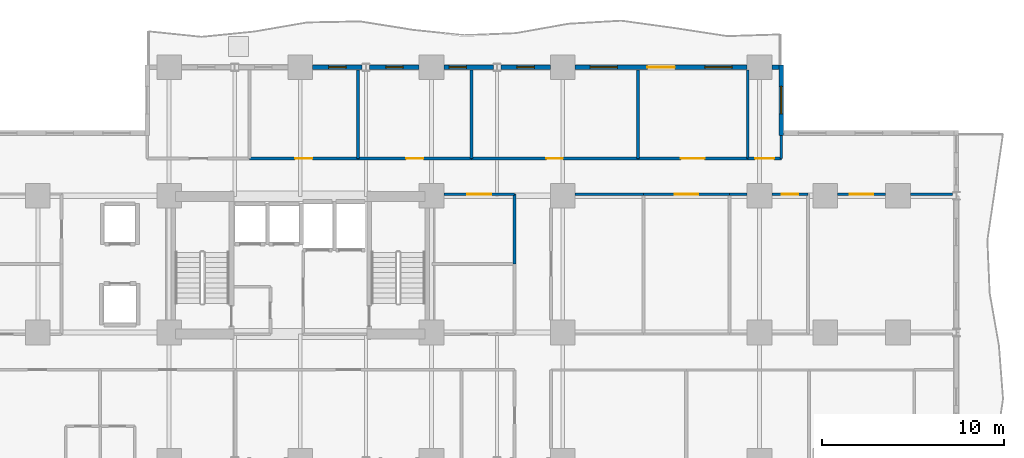
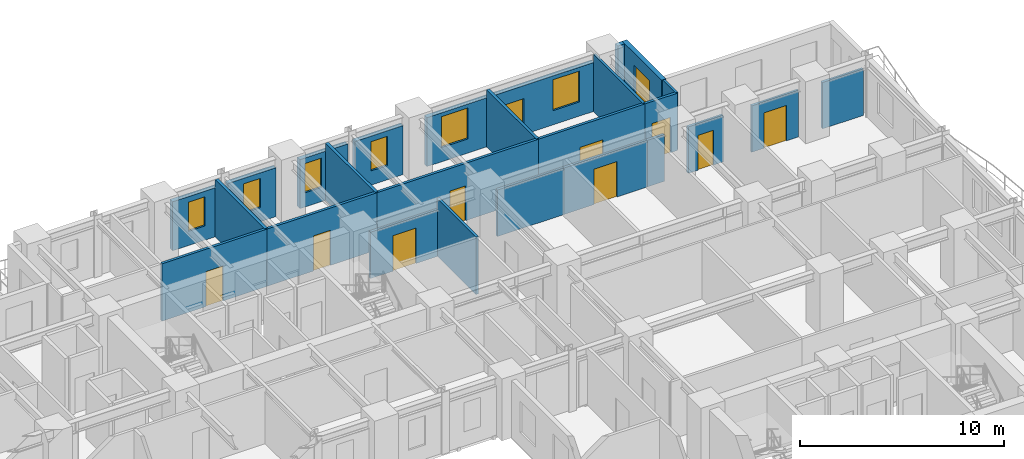
# One storey, part 7 of 11: 25 walls, 10 doors, 7 windows, 17 openings.
"""IFC4 building model written with IfcOpenShell, lengths in metres."""

from ifc_helpers import new_model, si_unit, direction, frame, frame_2d, origin, place, context, subcontext, project, spatial, rectangle, extrude, material, layer, layer_set, type_object, element, fill, save


model = new_model("IFC4")

# Units and contexts
model_context = context("Model", 3, precision=1e-05, world=origin(), true_north=direction((0.0, 1.0)))
body_context = subcontext(model_context, "Body", "Model", "MODEL_VIEW")
ifc_project = project(units=[si_unit("LENGTHUNIT", "METRE"), si_unit("AREAUNIT", "SQUARE_METRE"), si_unit("VOLUMEUNIT", "CUBIC_METRE"), si_unit("PLANEANGLEUNIT", "RADIAN"), si_unit("MASSUNIT", "GRAM", prefix="KILO")], contexts=[model_context])

# Site, building, storey
site_placement = place(None, origin())
site = spatial("IfcSite", under=ifc_project, at=site_placement, CompositionType="ELEMENT")
building_placement = place(site_placement, origin())
building = spatial("IfcBuilding", under=site, at=building_placement, Name="Kaliganga Portal Commons", CompositionType="ELEMENT")
storey_placement = place(building_placement, frame((0.0, 0.0, 58.60009765625)))
storey = spatial("IfcBuildingStorey", under=building, at=storey_placement, Name="L14", CompositionType="ELEMENT", Elevation=58.60009765625)

# Wall, opening, window
ifc_material_1 = material(Name="Insulated Aluminium-Clad Spandrel Assembly", Category="aluminium")
ifc_layer_1 = layer(ifc_material_1, 0.260009765625)
ifc_layer_set_1 = layer_set([ifc_layer_1], Name="Insulated Aluminium-Clad Spandrel Assembly")
wall_type_1 = type_object("IfcWallType", Name="WL-EXT-SPAND-260", PredefinedType="STANDARD", material=ifc_layer_set_1)
wall_1_placement = place(storey_placement, frame((48.0, 43.330078125, 0.0), z_axis=(0.0, 0.0, 1.0), x_axis=(0.0, -1.0, 0.0)))
wall_1 = element("IfcWall", 1, at=wall_1_placement, inside=storey, type_object=wall_type_1, Name="Exterior Envelope Wall L14 P1-E05-S1", PredefinedType="STANDARD", context=body_context, shape_type="SweptSolid", body=[
    extrude(rectangle(XDim=3.860107421875, YDim=0.260009765625, at=frame_2d((1.93017578125, 0.0))), origin(), (0.0, 0.0, 1.0), 3.429931640625),
])
opening_1_placement = place(wall_1_placement, frame((1.179931640625, 0.0, 0.85009765625)))
opening_1 = element("IfcOpeningElement", 2, at=opening_1_placement, cuts=wall_1, Name="Opening W-02", PredefinedType="OPENING", context=body_context, shape_type="SweptSolid", body=[
    extrude(rectangle(XDim=1.5, YDim=1.85009765625, at=frame_2d((0.75, 0.925048828125))), frame((0.0, 0.14013671875, 0.0), z_axis=(0.0, -1.0, 0.0), x_axis=(1.0, 0.0, 0.0)), (0.0, 0.0, 1.0), 0.280029296875),
])
ifc_material_2 = material(Name="Thermally Broken Aluminium and Low-E Double Glazing", Category="aluminium")
window_type_1 = type_object("IfcWindowType", Name="WIN-STD-1500", PartitioningType="DOUBLE_PANEL_VERTICAL", PredefinedType="WINDOW", material=ifc_material_2)
window_1_placement = place(opening_1_placement, origin())
window_1 = element("IfcWindow", 3, at=window_1_placement, inside=storey, type_object=window_type_1, Name="Facade Window L14-P1E05S1-00", OverallHeight=1.85009765625, OverallWidth=1.5, PartitioningType="SINGLE_PANEL", PredefinedType="WINDOW", context=body_context, shape_type="SweptSolid", body=[
    extrude(rectangle(XDim=1.5, YDim=1.85009765625, at=frame_2d((0.75, 0.925048828125))), frame((0.0, 0.030029296875, 0.0), z_axis=(0.0, -1.0, 0.0), x_axis=(1.0, 0.0, 0.0)), (0.0, 0.0, 1.0), 0.06005859375),
])
fill(opening_1, window_1)

# Wall
wall_2_placement = place(storey_placement, frame((47.47607421875, 43.199951171875, 0.0), z_axis=(0.0, 0.0, 1.0), x_axis=(1.0, 0.0, 0.0)))
element("IfcWall", 4, at=wall_2_placement, inside=storey, type_object=wall_type_1, Name="Exterior Envelope Wall L14 P1-E06-S1", PredefinedType="STANDARD", context=body_context, shape_type="SweptSolid", body=[
    extrude(rectangle(XDim=0.388916015625, YDim=0.260009765625, at=frame_2d((0.1943359375, 0.0))), origin(), (0.0, 0.0, 1.0), 3.429931640625),
])

# Wall, openings, door, windows
wall_3_placement = place(storey_placement, frame((36.676025390625, 43.199951171875, 0.0), z_axis=(0.0, 0.0, 1.0), x_axis=(1.0, 0.0, 0.0)))
wall_3 = element("IfcWall", 5, at=wall_3_placement, inside=storey, type_object=wall_type_1, Name="Exterior Envelope Wall L14 P1-E06-S2", PredefinedType="STANDARD", context=body_context, shape_type="SweptSolid", body=[
    extrude(rectangle(XDim=9.447998046875, YDim=0.260009765625, at=frame_2d((4.72412109375, 0.0))), origin(), (0.0, 0.0, 1.0), 2.929931640625),
])
opening_2_placement = place(wall_3_placement, frame((3.97412109375, 0.0, 0.0)))
opening_2 = element("IfcOpeningElement", 6, at=opening_2_placement, cuts=wall_3, Name="Opening BD-01", PredefinedType="OPENING", context=body_context, shape_type="SweptSolid", body=[
    extrude(rectangle(XDim=1.5, YDim=2.14990234375, at=frame_2d((0.75, 1.074951171875))), frame((0.0, 0.14013671875, 0.0), z_axis=(0.0, -1.0, 0.0), x_axis=(1.0, 0.0, 0.0)), (0.0, 0.0, 1.0), 0.280029296875),
])
opening_3_placement = place(wall_3_placement, frame((0.82470703125, 0.0, 0.85009765625)))
opening_3 = element("IfcOpeningElement", 7, at=opening_3_placement, cuts=wall_3, Name="Opening W-02", PredefinedType="OPENING", context=body_context, shape_type="SweptSolid", body=[
    extrude(rectangle(XDim=1.5, YDim=1.85009765625, at=frame_2d((0.75, 0.925048828125))), frame((0.0, 0.14013671875, 0.0), z_axis=(0.0, -1.0, 0.0), x_axis=(1.0, 0.0, 0.0)), (0.0, 0.0, 1.0), 0.280029296875),
])
opening_4_placement = place(wall_3_placement, frame((7.123291015625, 0.0, 0.85009765625)))
opening_4 = element("IfcOpeningElement", 8, at=opening_4_placement, cuts=wall_3, Name="Opening W-02", PredefinedType="OPENING", context=body_context, shape_type="SweptSolid", body=[
    extrude(rectangle(XDim=1.5, YDim=1.85009765625, at=frame_2d((0.75, 0.925048828125))), frame((0.0, 0.14013671875, 0.0), z_axis=(0.0, -1.0, 0.0), x_axis=(1.0, 0.0, 0.0)), (0.0, 0.0, 1.0), 0.280029296875),
])
ifc_material_3 = material(Name="Anodized Aluminium and Laminated Safety Glass", Category="aluminium")
door_type_1 = type_object("IfcDoorType", Name="DR-BALC-1500", OperationType="SLIDING_TO_LEFT", PredefinedType="DOOR", material=ifc_material_3)
door_1_placement = place(opening_2_placement, origin())
door_1 = element("IfcDoor", 9, at=door_1_placement, inside=storey, type_object=door_type_1, Name="Balcony Sliding Door L14 balc_north", OperationType="SLIDING_TO_LEFT", OverallHeight=2.14990234375, OverallWidth=1.5, PredefinedType="DOOR", context=body_context, shape_type="SweptSolid", body=[
    extrude(rectangle(XDim=1.5, YDim=2.14990234375, at=frame_2d((0.75, 1.074951171875))), frame((0.0, 0.02490234375, 0.0), z_axis=(0.0, -1.0, 0.0), x_axis=(1.0, 0.0, 0.0)), (0.0, 0.0, 1.0), 0.050048828125),
])
fill(opening_2, door_1)
window_2_placement = place(opening_3_placement, origin())
window_2 = element("IfcWindow", 10, at=window_2_placement, inside=storey, type_object=window_type_1, Name="Facade Window L14-P1E06S2-00", OverallHeight=1.85009765625, OverallWidth=1.5, PartitioningType="SINGLE_PANEL", PredefinedType="WINDOW", context=body_context, shape_type="SweptSolid", body=[
    extrude(rectangle(XDim=1.5, YDim=1.85009765625, at=frame_2d((0.75, 0.925048828125))), frame((0.0, 0.030029296875, 0.0), z_axis=(0.0, -1.0, 0.0), x_axis=(1.0, 0.0, 0.0)), (0.0, 0.0, 1.0), 0.06005859375),
])
fill(opening_3, window_2)
window_3_placement = place(opening_4_placement, origin())
window_3 = element("IfcWindow", 11, at=window_3_placement, inside=storey, type_object=window_type_1, Name="Facade Window L14-P1E06S2-02", OverallHeight=1.85009765625, OverallWidth=1.5, PartitioningType="SINGLE_PANEL", PredefinedType="WINDOW", context=body_context, shape_type="SweptSolid", body=[
    extrude(rectangle(XDim=1.5, YDim=1.85009765625, at=frame_2d((0.75, 0.925048828125))), frame((0.0, 0.030029296875, 0.0), z_axis=(0.0, -1.0, 0.0), x_axis=(1.0, 0.0, 0.0)), (0.0, 0.0, 1.0), 0.06005859375),
])
fill(opening_4, window_3)

# Wall, opening, window
wall_4_placement = place(storey_placement, frame((32.60888671875, 43.199951171875, 0.0), z_axis=(0.0, 0.0, 1.0), x_axis=(1.0, 0.0, 0.0)))
wall_4 = element("IfcWall", 12, at=wall_4_placement, inside=storey, type_object=wall_type_1, Name="Exterior Envelope Wall L14 P1-E06-S3", PredefinedType="STANDARD", context=body_context, shape_type="SweptSolid", body=[
    extrude(rectangle(XDim=2.715087890625, YDim=0.260009765625, at=frame_2d((1.357421875, 0.0))), origin(), (0.0, 0.0, 1.0), 2.929931640625),
])
opening_5_placement = place(wall_4_placement, frame((0.882568359375, 0.0, 0.85009765625)))
opening_5 = element("IfcOpeningElement", 13, at=opening_5_placement, cuts=wall_4, Name="Opening W-04", PredefinedType="OPENING", context=body_context, shape_type="SweptSolid", body=[
    extrude(rectangle(XDim=0.949951171875, YDim=1.75, at=frame_2d((0.47509765625, 0.875))), frame((0.0, 0.14013671875, 0.0), z_axis=(0.0, -1.0, 0.0), x_axis=(1.0, 0.0, 0.0)), (0.0, 0.0, 1.0), 0.280029296875),
])
window_type_2 = type_object("IfcWindowType", Name="WIN-NARROW-950", PartitioningType="SINGLE_PANEL", PredefinedType="WINDOW", material=ifc_material_2)
window_4_placement = place(opening_5_placement, origin())
window_4 = element("IfcWindow", 14, at=window_4_placement, inside=storey, type_object=window_type_2, Name="Facade Window L14-P1E06S3-00", OverallHeight=1.75, OverallWidth=0.949951171875, PartitioningType="SINGLE_PANEL", PredefinedType="WINDOW", context=body_context, shape_type="SweptSolid", body=[
    extrude(rectangle(XDim=0.949951171875, YDim=1.75, at=frame_2d((0.47509765625, 0.875))), frame((0.0, 0.030029296875, 0.0), z_axis=(0.0, -1.0, 0.0), x_axis=(1.0, 0.0, 0.0)), (0.0, 0.0, 1.0), 0.06005859375),
])
fill(opening_5, window_4)

wall_5_placement = place(storey_placement, frame((29.47607421875, 43.199951171875, 0.0), z_axis=(0.0, 0.0, 1.0), x_axis=(1.0, 0.0, 0.0)))
wall_5 = element("IfcWall", 15, at=wall_5_placement, inside=storey, type_object=wall_type_1, Name="Exterior Envelope Wall L14 P1-E06-S4", PredefinedType="STANDARD", context=body_context, shape_type="SweptSolid", body=[
    extrude(rectangle(XDim=2.71484375, YDim=0.260009765625, at=frame_2d((1.357421875, 0.0))), origin(), (0.0, 0.0, 1.0), 2.929931640625),
])
opening_6_placement = place(wall_5_placement, frame((0.28515625, 0.0, 0.85009765625)))
opening_6 = element("IfcOpeningElement", 16, at=opening_6_placement, cuts=wall_5, Name="Opening W-04", PredefinedType="OPENING", context=body_context, shape_type="SweptSolid", body=[
    extrude(rectangle(XDim=0.949951171875, YDim=1.75, at=frame_2d((0.47509765625, 0.875))), frame((0.0, 0.14013671875, 0.0), z_axis=(0.0, -1.0, 0.0), x_axis=(1.0, 0.0, 0.0)), (0.0, 0.0, 1.0), 0.280029296875),
])
window_5_placement = place(opening_6_placement, origin())
window_5 = element("IfcWindow", 17, at=window_5_placement, inside=storey, type_object=window_type_2, Name="Facade Window L14-P1E06S4-N3", OverallHeight=1.75, OverallWidth=0.949951171875, PartitioningType="SINGLE_PANEL", PredefinedType="WINDOW", context=body_context, shape_type="SweptSolid", body=[
    extrude(rectangle(XDim=0.949951171875, YDim=1.75, at=frame_2d((0.47509765625, 0.875))), frame((0.0, 0.030029296875, 0.0), z_axis=(0.0, -1.0, 0.0), x_axis=(1.0, 0.0, 0.0)), (0.0, 0.0, 1.0), 0.06005859375),
])
fill(opening_6, window_5)

wall_6_placement = place(storey_placement, frame((25.408935546875, 43.199951171875, 0.0), z_axis=(0.0, 0.0, 1.0), x_axis=(1.0, 0.0, 0.0)))
wall_6 = element("IfcWall", 18, at=wall_6_placement, inside=storey, type_object=wall_type_1, Name="Exterior Envelope Wall L14 P1-E06-S5", PredefinedType="STANDARD", context=body_context, shape_type="SweptSolid", body=[
    extrude(rectangle(XDim=2.715087890625, YDim=0.260009765625, at=frame_2d((1.357421875, 0.0))), origin(), (0.0, 0.0, 1.0), 2.929931640625),
])
opening_7_placement = place(wall_6_placement, frame((0.882568359375, 0.0, 0.85009765625)))
opening_7 = element("IfcOpeningElement", 19, at=opening_7_placement, cuts=wall_6, Name="Opening W-04", PredefinedType="OPENING", context=body_context, shape_type="SweptSolid", body=[
    extrude(rectangle(XDim=0.949951171875, YDim=1.75, at=frame_2d((0.47509765625, 0.875))), frame((0.0, 0.14013671875, 0.0), z_axis=(0.0, -1.0, 0.0), x_axis=(1.0, 0.0, 0.0)), (0.0, 0.0, 1.0), 0.280029296875),
])
window_6_placement = place(opening_7_placement, origin())
window_6 = element("IfcWindow", 20, at=window_6_placement, inside=storey, type_object=window_type_2, Name="Facade Window L14-P1E06S5-00", OverallHeight=1.75, OverallWidth=0.949951171875, PartitioningType="SINGLE_PANEL", PredefinedType="WINDOW", context=body_context, shape_type="SweptSolid", body=[
    extrude(rectangle(XDim=0.949951171875, YDim=1.75, at=frame_2d((0.47509765625, 0.875))), frame((0.0, 0.030029296875, 0.0), z_axis=(0.0, -1.0, 0.0), x_axis=(1.0, 0.0, 0.0)), (0.0, 0.0, 1.0), 0.06005859375),
])
fill(opening_7, window_6)

wall_7_placement = place(storey_placement, frame((22.27587890625, 43.199951171875, 0.0), z_axis=(0.0, 0.0, 1.0), x_axis=(1.0, 0.0, 0.0)))
wall_7 = element("IfcWall", 21, at=wall_7_placement, inside=storey, type_object=wall_type_1, Name="Exterior Envelope Wall L14 P1-E06-S6", PredefinedType="STANDARD", context=body_context, shape_type="SweptSolid", body=[
    extrude(rectangle(XDim=2.715087890625, YDim=0.260009765625, at=frame_2d((1.357421875, 0.0))), origin(), (0.0, 0.0, 1.0), 2.929931640625),
])
opening_8_placement = place(wall_7_placement, frame((0.882568359375, 0.0, 0.85009765625)))
opening_8 = element("IfcOpeningElement", 22, at=opening_8_placement, cuts=wall_7, Name="Opening W-04", PredefinedType="OPENING", context=body_context, shape_type="SweptSolid", body=[
    extrude(rectangle(XDim=0.949951171875, YDim=1.75, at=frame_2d((0.47509765625, 0.875))), frame((0.0, 0.14013671875, 0.0), z_axis=(0.0, -1.0, 0.0), x_axis=(1.0, 0.0, 0.0)), (0.0, 0.0, 1.0), 0.280029296875),
])
window_7_placement = place(opening_8_placement, origin())
window_7 = element("IfcWindow", 23, at=window_7_placement, inside=storey, type_object=window_type_2, Name="Facade Window L14-P1E06S6-00", OverallHeight=1.75, OverallWidth=0.949951171875, PartitioningType="SINGLE_PANEL", PredefinedType="WINDOW", context=body_context, shape_type="SweptSolid", body=[
    extrude(rectangle(XDim=0.949951171875, YDim=1.75, at=frame_2d((0.47509765625, 0.875))), frame((0.0, 0.030029296875, 0.0), z_axis=(0.0, -1.0, 0.0), x_axis=(1.0, 0.0, 0.0)), (0.0, 0.0, 1.0), 0.06005859375),
])
fill(opening_8, window_7)

# Wall, opening, door
ifc_material_4 = material(Name="Fire-Rated Gypsum Board on Steel Stud", Category="steel")
ifc_layer_2 = layer(ifc_material_4, 0.14990234375)
ifc_layer_set_2 = layer_set([ifc_layer_2], Name="Fire-Rated Gypsum Board on Steel Stud")
wall_type_2 = type_object("IfcWallType", Name="WL-PART-CORR-150", PredefinedType="PARTITIONING", material=ifc_layer_set_2)
wall_8_placement = place(storey_placement, frame((31.0, 38.199951171875, 0.0), z_axis=(0.0, 0.0, 1.0), x_axis=(1.0, 0.0, 0.0)))
wall_8 = element("IfcWall", 24, at=wall_8_placement, inside=storey, type_object=wall_type_2, Name="Interior Partition L14-009", PredefinedType="PARTITIONING", context=body_context, shape_type="SweptSolid", body=[
    extrude(rectangle(XDim=9.1201171875, YDim=0.14990234375, at=frame_2d((4.56005859375, 0.0))), origin(), (0.0, 0.0, 1.0), 3.429931640625),
])
opening_9_placement = place(wall_8_placement, frame((4.110107421875, 0.0, 0.0)))
opening_9 = element("IfcOpeningElement", 25, at=opening_9_placement, cuts=wall_8, Name="Opening RD-01", PredefinedType="OPENING", context=body_context, shape_type="SweptSolid", body=[
    extrude(rectangle(XDim=0.89990234375, YDim=2.080078125, at=frame_2d((0.449951171875, 1.0400390625))), frame((0.0, 0.0849609375, 0.0), z_axis=(0.0, -1.0, 0.0), x_axis=(1.0, 0.0, 0.0)), (0.0, 0.0, 1.0), 0.169921875),
])
ifc_material_5 = material(Name="Engineered Timber Flush Door", Category="wood")
door_type_2 = type_object("IfcDoorType", Name="DR-ROOM-900", OperationType="NOTDEFINED", PredefinedType="DOOR", material=ifc_material_5)
door_2_placement = place(opening_9_placement, origin())
door_2 = element("IfcDoor", 26, at=door_2_placement, inside=storey, type_object=door_type_2, Name="Interior Door L14-AN04", OperationType="SINGLE_SWING_RIGHT", OverallHeight=2.080078125, OverallWidth=0.89990234375, PredefinedType="DOOR", context=body_context, shape_type="SweptSolid", body=[
    extrude(rectangle(XDim=0.89990234375, YDim=2.080078125, at=frame_2d((0.449951171875, 1.0400390625))), frame((0.0, 0.02490234375, 0.0), z_axis=(0.0, -1.0, 0.0), x_axis=(1.0, 0.0, 0.0)), (0.0, 0.0, 1.0), 0.050048828125),
])
fill(opening_9, door_2)

wall_9_placement = place(storey_placement, frame((51.074951171875, 36.239990234375, 0.0), z_axis=(0.0, 0.0, 1.0), x_axis=(1.0, 0.0, 0.0)))
wall_9 = element("IfcWall", 27, at=wall_9_placement, inside=storey, type_object=wall_type_2, Name="Interior Partition L14-010", PredefinedType="PARTITIONING", context=body_context, shape_type="SweptSolid", body=[
    extrude(rectangle(XDim=2.650146484375, YDim=0.14990234375, at=frame_2d((1.3251953125, 0.0))), origin(), (0.0, 0.0, 1.0), 2.77978515625),
])
opening_10_placement = place(wall_9_placement, frame((0.675048828125, 0.0, 0.0)))
opening_10 = element("IfcOpeningElement", 28, at=opening_10_placement, cuts=wall_9, Name="Opening RD-03", PredefinedType="OPENING", context=body_context, shape_type="SweptSolid", body=[
    extrude(rectangle(XDim=1.300048828125, YDim=2.1201171875, at=frame_2d((0.64990234375, 1.06005859375))), frame((0.0, 0.0849609375, 0.0), z_axis=(0.0, -1.0, 0.0), x_axis=(1.0, 0.0, 0.0)), (0.0, 0.0, 1.0), 0.169921875),
])
ifc_material_6 = material(Name="Glazed Timber Seminar Vision Door", Category="wood")
door_type_3 = type_object("IfcDoorType", Name="DR-STUDY-1300", OperationType="DOUBLE_DOOR_SINGLE_SWING", PredefinedType="DOOR", material=ifc_material_6)
door_3_placement = place(opening_10_placement, origin())
door_3 = element("IfcDoor", 29, at=door_3_placement, inside=storey, type_object=door_type_3, Name="Interior Door L14-BK04", OperationType="DOUBLE_DOOR_SINGLE_SWING", OverallHeight=2.1201171875, OverallWidth=1.300048828125, PredefinedType="DOOR", context=body_context, shape_type="SweptSolid", body=[
    extrude(rectangle(XDim=1.300048828125, YDim=2.1201171875, at=frame_2d((0.64990234375, 1.06005859375))), frame((0.0, 0.02490234375, 0.0), z_axis=(0.0, -1.0, 0.0), x_axis=(1.0, 0.0, 0.0)), (0.0, 0.0, 1.0), 0.050048828125),
])
fill(opening_10, door_3)

# Wall
wall_10_placement = place(storey_placement, frame((55.074951171875, 36.239990234375, 0.0), z_axis=(0.0, 0.0, 1.0), x_axis=(1.0, 0.0, 0.0)))
element("IfcWall", 30, at=wall_10_placement, inside=storey, type_object=wall_type_2, Name="Interior Partition L14-011", PredefinedType="PARTITIONING", context=body_context, shape_type="SweptSolid", body=[
    extrude(rectangle(XDim=2.317138671875, YDim=0.14990234375, at=frame_2d((1.15869140625, 0.0))), origin(), (0.0, 0.0, 1.0), 2.77978515625),
])

# Wall, opening, door
wall_11_placement = place(storey_placement, frame((24.760009765625, 38.199951171875, 0.0), z_axis=(0.0, 0.0, 1.0), x_axis=(1.0, 0.0, 0.0)))
wall_11 = element("IfcWall", 31, at=wall_11_placement, inside=storey, type_object=wall_type_2, Name="Interior Partition L14-023", PredefinedType="PARTITIONING", context=body_context, shape_type="SweptSolid", body=[
    extrude(rectangle(XDim=6.239990234375, YDim=0.14990234375, at=frame_2d((3.1201171875, 0.0))), origin(), (0.0, 0.0, 1.0), 3.429931640625),
])
opening_11_placement = place(wall_11_placement, frame((2.64501953125, 0.0, 0.0)))
opening_11 = element("IfcOpeningElement", 32, at=opening_11_placement, cuts=wall_11, Name="Opening UD-01", PredefinedType="OPENING", context=body_context, shape_type="SweptSolid", body=[
    extrude(rectangle(XDim=0.949951171875, YDim=2.10009765625, at=frame_2d((0.47509765625, 1.050048828125))), frame((0.0, 0.0849609375, 0.0), z_axis=(0.0, -1.0, 0.0), x_axis=(1.0, 0.0, 0.0)), (0.0, 0.0, 1.0), 0.169921875),
])
ifc_material_7 = material(Name="Solid-Core Timber Acoustic Fire Door", Category="wood")
door_type_4 = type_object("IfcDoorType", Name="DR-UNIT-950", OperationType="NOTDEFINED", PredefinedType="DOOR", material=ifc_material_7)
door_4_placement = place(opening_11_placement, origin())
door_4 = element("IfcDoor", 33, at=door_4_placement, inside=storey, type_object=door_type_4, Name="Interior Door L14-AN03", OperationType="SINGLE_SWING_LEFT", OverallHeight=2.10009765625, OverallWidth=0.949951171875, PredefinedType="DOOR", context=body_context, shape_type="SweptSolid", body=[
    extrude(rectangle(XDim=0.949951171875, YDim=2.10009765625, at=frame_2d((0.47509765625, 1.050048828125))), frame((0.0, 0.02490234375, 0.0), z_axis=(0.0, -1.0, 0.0), x_axis=(1.0, 0.0, 0.0)), (0.0, 0.0, 1.0), 0.050048828125),
])
fill(opening_11, door_4)

wall_12_placement = place(storey_placement, frame((40.1201171875, 38.199951171875, 0.0), z_axis=(0.0, 0.0, 1.0), x_axis=(1.0, 0.0, 0.0)))
wall_12 = element("IfcWall", 34, at=wall_12_placement, inside=storey, type_object=wall_type_2, Name="Interior Partition L14-024", PredefinedType="PARTITIONING", context=body_context, shape_type="SweptSolid", body=[
    extrude(rectangle(XDim=6.039794921875, YDim=0.14990234375, at=frame_2d((3.02001953125, 0.0))), origin(), (0.0, 0.0, 1.0), 3.429931640625),
])
opening_12_placement = place(wall_12_placement, frame((2.3701171875, 0.0, 0.0)))
opening_12 = element("IfcOpeningElement", 35, at=opening_12_placement, cuts=wall_12, Name="Opening RD-03", PredefinedType="OPENING", context=body_context, shape_type="SweptSolid", body=[
    extrude(rectangle(XDim=1.300048828125, YDim=2.1201171875, at=frame_2d((0.64990234375, 1.06005859375))), frame((0.0, 0.0849609375, 0.0), z_axis=(0.0, -1.0, 0.0), x_axis=(1.0, 0.0, 0.0)), (0.0, 0.0, 1.0), 0.169921875),
])
door_5_placement = place(opening_12_placement, origin())
door_5 = element("IfcDoor", 36, at=door_5_placement, inside=storey, type_object=door_type_3, Name="Interior Door L14-AN05", OperationType="DOUBLE_DOOR_SINGLE_SWING", OverallHeight=2.1201171875, OverallWidth=1.300048828125, PredefinedType="DOOR", context=body_context, shape_type="SweptSolid", body=[
    extrude(rectangle(XDim=1.300048828125, YDim=2.1201171875, at=frame_2d((0.64990234375, 1.06005859375))), frame((0.0, 0.02490234375, 0.0), z_axis=(0.0, -1.0, 0.0), x_axis=(1.0, 0.0, 0.0)), (0.0, 0.0, 1.0), 0.050048828125),
])
fill(opening_12, door_5)

wall_13_placement = place(storey_placement, frame((18.820068359375, 38.199951171875, 0.0), z_axis=(0.0, 0.0, 1.0), x_axis=(1.0, 0.0, 0.0)))
wall_13 = element("IfcWall", 37, at=wall_13_placement, inside=storey, type_object=wall_type_2, Name="Interior Partition L14-025", PredefinedType="PARTITIONING", context=body_context, shape_type="SweptSolid", body=[
    extrude(rectangle(XDim=5.93994140625, YDim=0.14990234375, at=frame_2d((2.969970703125, 0.0))), origin(), (0.0, 0.0, 1.0), 3.429931640625),
])
opening_13_placement = place(wall_13_placement, frame((2.4951171875, 0.0, 0.0)))
opening_13 = element("IfcOpeningElement", 38, at=opening_13_placement, cuts=wall_13, Name="Opening UD-01", PredefinedType="OPENING", context=body_context, shape_type="SweptSolid", body=[
    extrude(rectangle(XDim=0.949951171875, YDim=2.10009765625, at=frame_2d((0.47509765625, 1.050048828125))), frame((0.0, 0.0849609375, 0.0), z_axis=(0.0, -1.0, 0.0), x_axis=(1.0, 0.0, 0.0)), (0.0, 0.0, 1.0), 0.169921875),
])
door_6_placement = place(opening_13_placement, origin())
door_6 = element("IfcDoor", 39, at=door_6_placement, inside=storey, type_object=door_type_4, Name="Interior Door L14-AN02", OperationType="SINGLE_SWING_LEFT", OverallHeight=2.10009765625, OverallWidth=0.949951171875, PredefinedType="DOOR", context=body_context, shape_type="SweptSolid", body=[
    extrude(rectangle(XDim=0.949951171875, YDim=2.10009765625, at=frame_2d((0.47509765625, 1.050048828125))), frame((0.0, 0.02490234375, 0.0), z_axis=(0.0, -1.0, 0.0), x_axis=(1.0, 0.0, 0.0)), (0.0, 0.0, 1.0), 0.050048828125),
])
fill(opening_13, door_6)

# Wall
wall_14_placement = place(storey_placement, frame((36.675048828125, 36.239990234375, 0.0), z_axis=(0.0, 0.0, 1.0), x_axis=(1.0, 0.0, 0.0)))
element("IfcWall", 40, at=wall_14_placement, inside=storey, type_object=wall_type_2, Name="Interior Partition L14-028", PredefinedType="PARTITIONING", context=body_context, shape_type="SweptSolid", body=[
    extrude(rectangle(XDim=3.764892578125, YDim=0.14990234375, at=frame_2d((1.88232421875, 0.0))), origin(), (0.0, 0.0, 1.0), 2.77978515625),
])

# Wall, opening, door
wall_15_placement = place(storey_placement, frame((40.43994140625, 36.239990234375, 0.0), z_axis=(0.0, 0.0, 1.0), x_axis=(1.0, 0.0, 0.0)))
wall_15 = element("IfcWall", 41, at=wall_15_placement, inside=storey, type_object=wall_type_2, Name="Interior Partition L14-032", PredefinedType="PARTITIONING", context=body_context, shape_type="SweptSolid", body=[
    extrude(rectangle(XDim=4.719970703125, YDim=0.14990234375, at=frame_2d((2.35986328125, 0.0))), origin(), (0.0, 0.0, 1.0), 2.77978515625),
])
opening_14_placement = place(wall_15_placement, frame((1.7099609375, 0.0, 0.0)))
opening_14 = element("IfcOpeningElement", 42, at=opening_14_placement, cuts=wall_15, Name="Opening RD-03", PredefinedType="OPENING", context=body_context, shape_type="SweptSolid", body=[
    extrude(rectangle(XDim=1.300048828125, YDim=2.1201171875, at=frame_2d((0.64990234375, 1.06005859375))), frame((0.0, 0.0849609375, 0.0), z_axis=(0.0, -1.0, 0.0), x_axis=(1.0, 0.0, 0.0)), (0.0, 0.0, 1.0), 0.169921875),
])
door_7_placement = place(opening_14_placement, origin())
door_7 = element("IfcDoor", 43, at=door_7_placement, inside=storey, type_object=door_type_3, Name="Interior Door L14-BK02", OperationType="DOUBLE_DOOR_SINGLE_SWING", OverallHeight=2.1201171875, OverallWidth=1.300048828125, PredefinedType="DOOR", context=body_context, shape_type="SweptSolid", body=[
    extrude(rectangle(XDim=1.300048828125, YDim=2.1201171875, at=frame_2d((0.64990234375, 1.06005859375))), frame((0.0, 0.02490234375, 0.0), z_axis=(0.0, -1.0, 0.0), x_axis=(1.0, 0.0, 0.0)), (0.0, 0.0, 1.0), 0.050048828125),
])
fill(opening_14, door_7)

wall_16_placement = place(storey_placement, frame((29.47509765625, 36.239990234375, 0.0), z_axis=(0.0, 0.0, 1.0), x_axis=(1.0, 0.0, 0.0)))
wall_16 = element("IfcWall", 44, at=wall_16_placement, inside=storey, type_object=wall_type_2, Name="Interior Partition L14-035", PredefinedType="PARTITIONING", context=body_context, shape_type="SweptSolid", body=[
    extrude(rectangle(XDim=3.885009765625, YDim=0.14990234375, at=frame_2d((1.9423828125, 0.0))), origin(), (0.0, 0.0, 1.0), 2.77978515625),
])
opening_15_placement = place(wall_16_placement, frame((1.29248046875, 0.0, 0.0)))
opening_15 = element("IfcOpeningElement", 45, at=opening_15_placement, cuts=wall_16, Name="Opening RD-03", PredefinedType="OPENING", context=body_context, shape_type="SweptSolid", body=[
    extrude(rectangle(XDim=1.300048828125, YDim=2.1201171875, at=frame_2d((0.64990234375, 1.06005859375))), frame((0.0, 0.0849609375, 0.0), z_axis=(0.0, -1.0, 0.0), x_axis=(1.0, 0.0, 0.0)), (0.0, 0.0, 1.0), 0.169921875),
])
door_8_placement = place(opening_15_placement, origin())
door_8 = element("IfcDoor", 46, at=door_8_placement, inside=storey, type_object=door_type_3, Name="Interior Door L14-CSRV_A2", OperationType="DOUBLE_DOOR_SINGLE_SWING", OverallHeight=2.1201171875, OverallWidth=1.300048828125, PredefinedType="DOOR", context=body_context, shape_type="SweptSolid", body=[
    extrude(rectangle(XDim=1.300048828125, YDim=2.1201171875, at=frame_2d((0.64990234375, 1.06005859375))), frame((0.0, 0.02490234375, 0.0), z_axis=(0.0, -1.0, 0.0), x_axis=(1.0, 0.0, 0.0)), (0.0, 0.0, 1.0), 0.050048828125),
])
fill(opening_15, door_8)

# Wall
wall_17_placement = place(storey_placement, frame((45.159912109375, 36.239990234375, 0.0), z_axis=(0.0, 0.0, 1.0), x_axis=(1.0, 0.0, 0.0)))
element("IfcWall", 47, at=wall_17_placement, inside=storey, type_object=wall_type_2, Name="Interior Partition L14-036", PredefinedType="PARTITIONING", context=body_context, shape_type="SweptSolid", body=[
    extrude(rectangle(XDim=0.965087890625, YDim=0.14990234375, at=frame_2d((0.482421875, 0.0))), origin(), (0.0, 0.0, 1.0), 2.77978515625),
])

# Wall, opening, door
wall_18_placement = place(storey_placement, frame((47.47509765625, 36.239990234375, 0.0), z_axis=(0.0, 0.0, 1.0), x_axis=(1.0, 0.0, 0.0)))
wall_18 = element("IfcWall", 48, at=wall_18_placement, inside=storey, type_object=wall_type_2, Name="Interior Partition L14-037", PredefinedType="PARTITIONING", context=body_context, shape_type="SweptSolid", body=[
    extrude(rectangle(XDim=1.98486328125, YDim=0.14990234375, at=frame_2d((0.992431640625, 0.0))), origin(), (0.0, 0.0, 1.0), 2.77978515625),
])
opening_16_placement = place(wall_18_placement, frame((0.54248046875, 0.0, 0.0)))
opening_16 = element("IfcOpeningElement", 49, at=opening_16_placement, cuts=wall_18, Name="Opening RD-01", PredefinedType="OPENING", context=body_context, shape_type="SweptSolid", body=[
    extrude(rectangle(XDim=0.89990234375, YDim=2.080078125, at=frame_2d((0.449951171875, 1.0400390625))), frame((0.0, 0.0849609375, 0.0), z_axis=(0.0, -1.0, 0.0), x_axis=(1.0, 0.0, 0.0)), (0.0, 0.0, 1.0), 0.169921875),
])
door_9_placement = place(opening_16_placement, origin())
door_9 = element("IfcDoor", 50, at=door_9_placement, inside=storey, type_object=door_type_2, Name="Interior Door L14-BK03", OperationType="SINGLE_SWING_RIGHT", OverallHeight=2.080078125, OverallWidth=0.89990234375, PredefinedType="DOOR", context=body_context, shape_type="SweptSolid", body=[
    extrude(rectangle(XDim=0.89990234375, YDim=2.080078125, at=frame_2d((0.449951171875, 1.0400390625))), frame((0.0, 0.02490234375, 0.0), z_axis=(0.0, -1.0, 0.0), x_axis=(1.0, 0.0, 0.0)), (0.0, 0.0, 1.0), 0.050048828125),
])
fill(opening_16, door_9)

# Wall
wall_19_placement = place(storey_placement, frame((33.360107421875, 32.39990234375, 0.0), z_axis=(0.0, 0.0, 1.0), x_axis=(0.0, 1.0, 0.0)))
element("IfcWall", 51, at=wall_19_placement, inside=storey, type_object=wall_type_2, Name="Interior Partition L14-039", PredefinedType="PARTITIONING", context=body_context, shape_type="SweptSolid", body=[
    extrude(rectangle(XDim=3.840087890625, YDim=0.14990234375, at=frame_2d((1.919921875, 0.0))), origin(), (0.0, 0.0, 1.0), 3.429931640625),
])

# Wall, opening, door
wall_20_placement = place(storey_placement, frame((46.159912109375, 38.199951171875, 0.0), z_axis=(0.0, 0.0, 1.0), x_axis=(1.0, 0.0, 0.0)))
wall_20 = element("IfcWall", 52, at=wall_20_placement, inside=storey, type_object=wall_type_2, Name="Interior Partition L14-047", PredefinedType="PARTITIONING", context=body_context, shape_type="SweptSolid", body=[
    extrude(rectangle(XDim=1.840087890625, YDim=0.14990234375, at=frame_2d((0.919921875, 0.0))), origin(), (0.0, 0.0, 1.0), 3.429931640625),
])
opening_17_placement = place(wall_20_placement, frame((0.39501953125, 0.0, 0.0)))
opening_17 = element("IfcOpeningElement", 53, at=opening_17_placement, cuts=wall_20, Name="Opening UD-02", PredefinedType="OPENING", context=body_context, shape_type="SweptSolid", body=[
    extrude(rectangle(XDim=1.050048828125, YDim=2.1201171875, at=frame_2d((0.52490234375, 1.06005859375))), frame((0.0, 0.0849609375, 0.0), z_axis=(0.0, -1.0, 0.0), x_axis=(1.0, 0.0, 0.0)), (0.0, 0.0, 1.0), 0.169921875),
])
ifc_material_8 = material(Name="Accessible Wide-Leaf Acoustic Fire Door", Category="wood")
door_type_5 = type_object("IfcDoorType", Name="DR-ACC-1050", OperationType="NOTDEFINED", PredefinedType="DOOR", material=ifc_material_8)
door_10_placement = place(opening_17_placement, origin())
door_10 = element("IfcDoor", 54, at=door_10_placement, inside=storey, type_object=door_type_5, Name="Interior Door L14-AN06", OperationType="SINGLE_SWING_RIGHT", OverallHeight=2.1201171875, OverallWidth=1.050048828125, PredefinedType="DOOR", context=body_context, shape_type="SweptSolid", body=[
    extrude(rectangle(XDim=1.050048828125, YDim=2.1201171875, at=frame_2d((0.52490234375, 1.06005859375))), frame((0.0, 0.02490234375, 0.0), z_axis=(0.0, -1.0, 0.0), x_axis=(1.0, 0.0, 0.0)), (0.0, 0.0, 1.0), 0.050048828125),
])
fill(opening_17, door_10)

# Walls
ifc_material_9 = material(Name="Twin-Stud Acoustic Gypsum Partition", Category="gypsum")
ifc_layer_3 = layer(ifc_material_9, 0.1650390625)
ifc_layer_set_3 = layer_set([ifc_layer_3], Name="Twin-Stud Acoustic Gypsum Partition")
wall_type_3 = type_object("IfcWallType", Name="WL-PART-UNIT-165", PredefinedType="PARTITIONING", material=ifc_layer_set_3)
for number, where, z_axis, x_axis, name in (
    (55, (24.760009765625, 38.199951171875, 0.0), (0.0, 0.0, 1.0), (0.0, 1.0, 0.0), "Interior Partition L14-063"),
    (56, (31.0, 38.199951171875, 0.0), (0.0, 0.0, 1.0), (0.0, 1.0, 0.0), "Interior Partition L14-065"),
    (57, (40.1201171875, 38.199951171875, 0.0), (0.0, 0.0, 1.0), (0.0, 1.0, 0.0), "Interior Partition L14-066"),
):
    element("IfcWall", number, at=place(storey_placement, frame(where, z_axis=z_axis, x_axis=x_axis)), inside=storey, type_object=wall_type_3, Name=name, PredefinedType="PARTITIONING", context=body_context, shape_type="SweptSolid", body=[
        extrude(rectangle(XDim=4.8681640625, YDim=0.1650390625, at=frame_2d((2.43408203125, 0.0))), origin(), (0.0, 0.0, 1.0), 3.429931640625),
    ])
ifc_material_10 = material(Name="Cement-Board Wet-Room Partition", Category="gypsum")
ifc_layer_4 = layer(ifc_material_10, 0.135009765625)
ifc_layer_set_4 = layer_set([ifc_layer_4], Name="Cement-Board Wet-Room Partition")
wall_type_4 = type_object("IfcWallType", Name="WL-PART-WET-135", PredefinedType="PARTITIONING", material=ifc_layer_set_4)
wall_21_placement = place(storey_placement, frame((46.159912109375, 38.199951171875, 0.0), z_axis=(0.0, 0.0, 1.0), x_axis=(0.0, 1.0, 0.0)))
element("IfcWall", 58, at=wall_21_placement, inside=storey, type_object=wall_type_4, Name="Interior Partition L14-067", PredefinedType="PARTITIONING", context=body_context, shape_type="SweptSolid", body=[
    extrude(rectangle(XDim=4.8681640625, YDim=0.135009765625, at=frame_2d((2.43408203125, 0.0))), origin(), (0.0, 0.0, 1.0), 3.429931640625),
])
wall_22_placement = place(storey_placement, frame((48.0, 38.199951171875, 0.0), z_axis=(0.0, 0.0, 1.0), x_axis=(0.0, 1.0, 0.0)))
element("IfcWall", 59, at=wall_22_placement, inside=storey, type_object=wall_type_4, Name="Interior Partition L14-068", PredefinedType="PARTITIONING", context=body_context, shape_type="SweptSolid", body=[
    extrude(rectangle(XDim=1.26806640625, YDim=0.135009765625, at=frame_2d((0.634033203125, 0.0))), origin(), (0.0, 0.0, 1.0), 3.429931640625),
])

save(model, "model.ifc")
